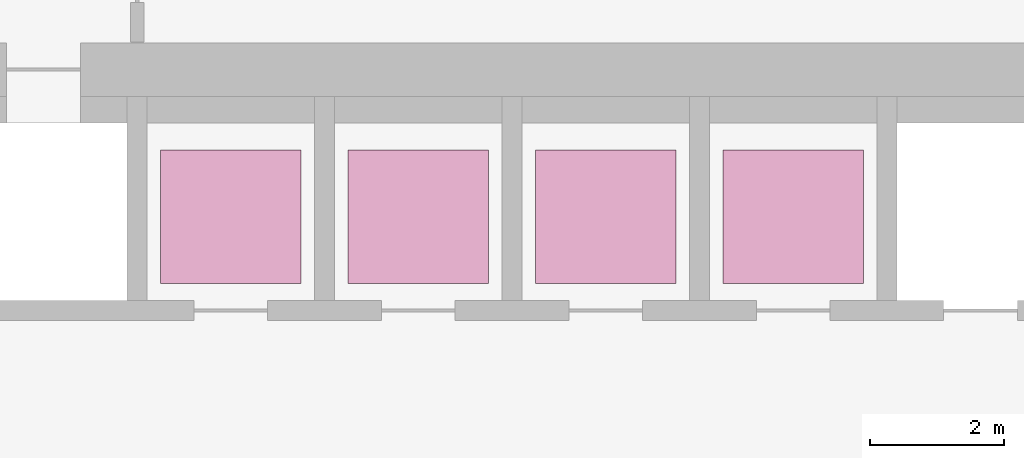
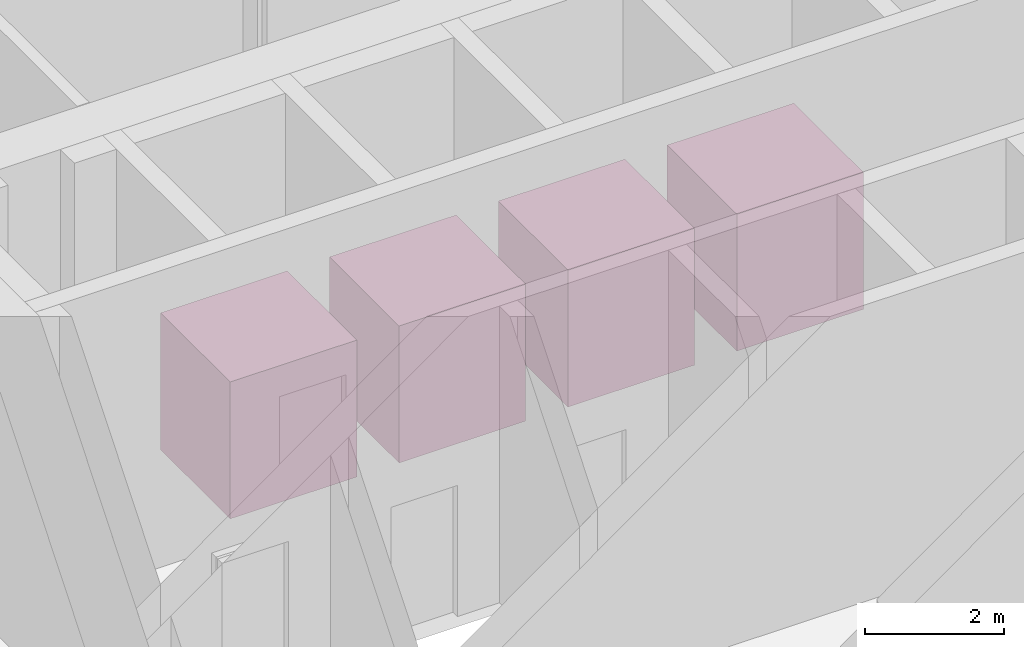
# One storey, part 15 of 15: 4 transport elements.
"""IFC4 building model written with IfcOpenShell, lengths in metres."""

from ifc_helpers import new_model, si_unit, direction, frame, origin, origin_2d, place, context, subcontext, project, spatial, rectangle, extrude, material, type_object, element, save


model = new_model("IFC4")

# Units and contexts
model_context = context("Model", 3, precision=1e-05, world=origin(), true_north=direction((0.0, 1.0)))
body_context = subcontext(model_context, "Body", "Model", "MODEL_VIEW")
ifc_project = project(units=[si_unit("LENGTHUNIT", "METRE"), si_unit("AREAUNIT", "SQUARE_METRE"), si_unit("VOLUMEUNIT", "CUBIC_METRE"), si_unit("PLANEANGLEUNIT", "RADIAN"), si_unit("MASSUNIT", "GRAM", prefix="KILO")], contexts=[model_context])

# Site, building, storey
site_placement = place(None, origin())
site = spatial("IfcSite", under=ifc_project, at=site_placement, CompositionType="ELEMENT")
building_placement = place(site_placement, origin())
building = spatial("IfcBuilding", under=site, at=building_placement, Name="Brevane Broadcast Tower", CompositionType="ELEMENT")
storey_placement = place(building_placement, frame((0.0, 0.0, 156.5)))
storey = spatial("IfcBuildingStorey", under=building, at=storey_placement, Name="L39", CompositionType="ELEMENT", Elevation=156.5)

# Transport elements
ifc_material = material(Name="Stainless steel", Category="steel")
transport_element_type = type_object("IfcTransportElementType", Name="Passenger lift car", PredefinedType="ELEVATOR", material=ifc_material)
for number, where, z_axis, x_axis, name in (
    (1, (5.39990234375, 14.199951171875, 0.0), (0.0, 0.0, 1.0), (1.0, 0.0, 0.0), "High-rise bank HR1"),
    (2, (8.199951171875, 14.199951171875, 0.0), (0.0, 0.0, 1.0), (1.0, 0.0, 0.0), "High-rise bank HR2"),
    (3, (11.0, 14.199951171875, 0.0), (0.0, 0.0, 1.0), (1.0, 0.0, 0.0), "High-rise bank HR3"),
    (4, (13.800048828125, 14.199951171875, 0.0), (0.0, 0.0, 1.0), (1.0, 0.0, 0.0), "High-rise bank HR4"),
):
    element("IfcTransportElement", number, at=place(storey_placement, frame(where, z_axis=z_axis, x_axis=x_axis)), inside=storey, type_object=transport_element_type, Name=name, PredefinedType="ELEVATOR", context=body_context, shape_type="SweptSolid", body=[
        extrude(rectangle(XDim=2.10009765625, YDim=2.0, at=origin_2d()), origin(), (0.0, 0.0, 1.0), 2.39990234375),
    ])

save(model, "model.ifc")
